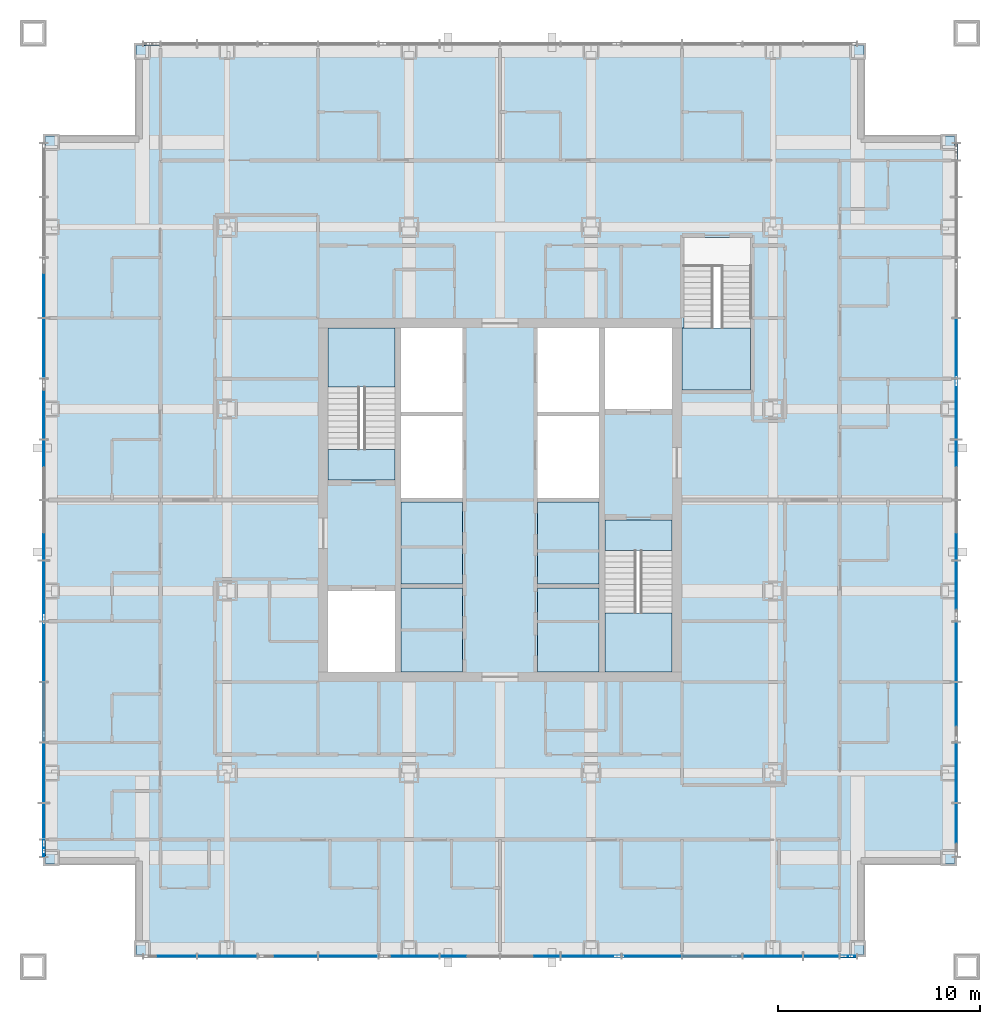
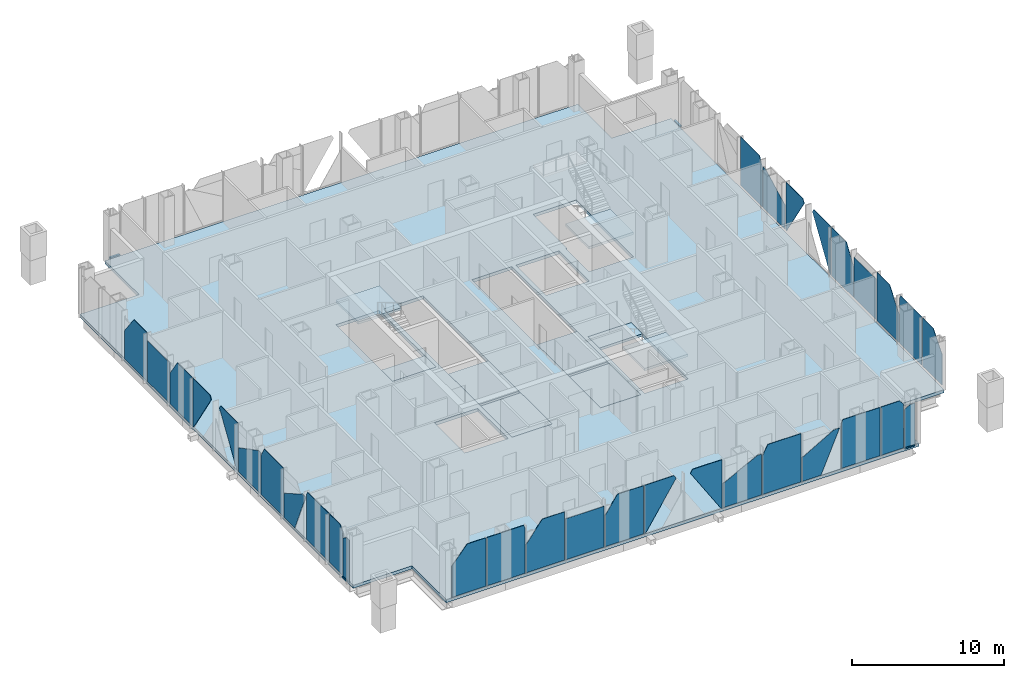
# One storey, part 6 of 25: 33 plates, 10 slabs, 4 members, 7 elements without a shape of their own.
"""IFC4 building model written with IfcOpenShell, lengths in metres."""

from ifc_helpers import new_model, si_unit, direction, frame, origin, origin_2d, place, context, subcontext, project, spatial, polyline, rectangle, outline, extrude, material, layer, layer_set, material_profile, profile_set, type_object, element, aggregate, save


model = new_model("IFC4")

# Units and contexts
model_context = context("Model", 3, precision=1e-05, world=origin(), true_north=direction((0.0, 1.0)))
body_context = subcontext(model_context, "Body", "Model", "MODEL_VIEW")
ifc_project = project(units=[si_unit("LENGTHUNIT", "METRE"), si_unit("AREAUNIT", "SQUARE_METRE"), si_unit("VOLUMEUNIT", "CUBIC_METRE"), si_unit("PLANEANGLEUNIT", "RADIAN"), si_unit("MASSUNIT", "GRAM", prefix="KILO")], contexts=[model_context])

# Site, building, storey
site_placement = place(None, origin())
site = spatial("IfcSite", under=ifc_project, at=site_placement, CompositionType="ELEMENT")
building_placement = place(site_placement, origin())
building = spatial("IfcBuilding", under=site, at=building_placement, Name="Malebo Sky Hospital", CompositionType="ELEMENT")
storey_placement = place(building_placement, frame((0.0, 0.0, 241.0)))
storey = spatial("IfcBuildingStorey", under=building, at=storey_placement, Name="L58", CompositionType="ELEMENT", Elevation=241.0)

# Curtain wall, member
ifc_material_1 = material(Name="Anodised aluminium, natural silver", Category="aluminium")
ifc_layer_1 = layer(ifc_material_1, 0.25)
ifc_layer_set_1 = layer_set([ifc_layer_1], Name="WARD CURTAIN WALL NORTH AND SOUTH")
curtain_wall_type_1 = type_object("IfcCurtainWallType", Name="WARD CURTAIN WALL NORTH AND SOUTH", PredefinedType="NOTDEFINED", material=ifc_layer_set_1)
curtain_wall_1_placement = place(storey_placement, origin())
curtain_wall_1 = element("IfcCurtainWall", 1, at=curtain_wall_1_placement, inside=storey, type_object=curtain_wall_type_1, Name="NS curtain wall N", PredefinedType="NOTDEFINED")
ifc_material_profile = material_profile(ifc_material_1, rectangle(XDim=0.14990234375, YDim=0.10009765625, at=origin_2d()), Name="ALUMINIUM TRANSOM 150x100")
ifc_profile_set = profile_set([ifc_material_profile], Name="Anodised aluminium, natural silver")
member_type = type_object("IfcMemberType", Name="ALUMINIUM TRANSOM 150x100", PredefinedType="USERDEFINED", material=ifc_profile_set)
member_1_placement = place(storey_placement, frame((42.375, 84.574951171875, 0.050048828125), z_axis=(1.0, 0.0, 0.0), x_axis=(0.0, 1.0, 0.0)))
member_1 = element("IfcMember", 2, at=member_1_placement, type_object=member_type, Name="Transom 1", ObjectType="TRANSOM", PredefinedType="USERDEFINED", context=body_context, shape_type="SweptSolid", body=[
    extrude(rectangle(XDim=0.14990234375, YDim=0.10009765625, at=origin_2d()), origin(), (0.0, 0.0, 1.0), 0.78759765625),
])
aggregate(curtain_wall_1, [member_1])

ifc_layer_2 = layer(ifc_material_1, 0.25)
ifc_layer_set_2 = layer_set([ifc_layer_2], Name="WARD CURTAIN WALL EAST AND WEST")
curtain_wall_type_2 = type_object("IfcCurtainWallType", Name="WARD CURTAIN WALL EAST AND WEST", PredefinedType="NOTDEFINED", material=ifc_layer_set_2)
curtain_wall_2_placement = place(storey_placement, origin())
curtain_wall_2 = element("IfcCurtainWall", 3, at=curtain_wall_2_placement, inside=storey, type_object=curtain_wall_type_2, Name="EW curtain wall W", PredefinedType="NOTDEFINED")
member_2_placement = place(storey_placement, frame((37.425048828125, 44.375, 0.050048828125), z_axis=(0.0, 1.0, 0.0), x_axis=(-1.0, 0.0, 0.0)))
member_2 = element("IfcMember", 4, at=member_2_placement, type_object=member_type, Name="Transom 1", ObjectType="TRANSOM", PredefinedType="USERDEFINED", context=body_context, shape_type="SweptSolid", body=[
    extrude(rectangle(XDim=0.14990234375, YDim=0.10009765625, at=origin_2d()), origin(), (0.0, 0.0, 1.0), 0.78759765625),
])

curtain_wall_3_placement = place(storey_placement, origin())
curtain_wall_3 = element("IfcCurtainWall", 5, at=curtain_wall_3_placement, inside=storey, type_object=curtain_wall_type_1, Name="NS curtain wall S", PredefinedType="NOTDEFINED")
member_3_placement = place(storey_placement, frame((77.625, 39.425048828125, 0.050048828125), z_axis=(-1.0, 0.0, 0.0), x_axis=(0.0, -1.0, 0.0)))
member_3 = element("IfcMember", 6, at=member_3_placement, type_object=member_type, Name="Transom 1", ObjectType="TRANSOM", PredefinedType="USERDEFINED", context=body_context, shape_type="SweptSolid", body=[
    extrude(rectangle(XDim=0.14990234375, YDim=0.10009765625, at=origin_2d()), origin(), (0.0, 0.0, 1.0), 0.78759765625),
])

curtain_wall_4_placement = place(storey_placement, origin())
curtain_wall_4 = element("IfcCurtainWall", 7, at=curtain_wall_4_placement, inside=storey, type_object=curtain_wall_type_2, Name="EW curtain wall E", PredefinedType="NOTDEFINED")
member_4_placement = place(storey_placement, frame((82.574951171875, 79.625, 0.050048828125), z_axis=(0.0, -1.0, 0.0), x_axis=(1.0, 0.0, 0.0)))
member_4 = element("IfcMember", 8, at=member_4_placement, type_object=member_type, Name="Transom 1", ObjectType="TRANSOM", PredefinedType="USERDEFINED", context=body_context, shape_type="SweptSolid", body=[
    extrude(rectangle(XDim=0.14990234375, YDim=0.10009765625, at=origin_2d()), origin(), (0.0, 0.0, 1.0), 0.78759765625),
])

# Slabs
ifc_material_2 = material(Name="Concrete C40/50", Category="concrete")
ifc_layer_3 = layer(ifc_material_2, 0.25)
ifc_layer_set_3 = layer_set([ifc_layer_3], Name="COMPOSITE FLOOR SLAB 250")
slab_type_1 = type_object("IfcSlabType", Name="COMPOSITE FLOOR SLAB 250", PredefinedType="FLOOR", material=ifc_layer_set_3)
slab_1_placement = place(storey_placement, frame((0.0, 0.0, -0.25)))
element("IfcSlab", 9, at=slab_1_placement, inside=storey, type_object=slab_type_1, Name="Floor slab L58", PredefinedType="FLOOR", context=body_context, shape_type="SweptSolid", body=[
    extrude(outline(polyline([(42.0, 84.5), (42.0, 80.0), (37.5, 80.0), (37.5, 44.0), (42.0, 44.0), (42.0, 39.5), (78.0, 39.5), (78.0, 44.0), (82.5, 44.0), (82.5, 80.0), (78.0, 80.0), (78.0, 84.5), (42.0, 84.5)]), holes=[polyline([(55.10009765625, 70.5), (58.14990234375, 70.5), (58.14990234375, 53.5), (55.10009765625, 53.5), (55.10009765625, 70.5)]), polyline([(64.89990234375, 70.5), (64.89990234375, 53.5), (61.85009765625, 53.5), (61.85009765625, 70.5), (64.89990234375, 70.5)]), polyline([(54.800048828125, 63.0), (51.5, 63.0), (51.5, 70.5), (54.800048828125, 70.5), (54.800048828125, 63.0)]), polyline([(51.5, 53.5), (51.5, 57.5), (54.800048828125, 57.5), (54.800048828125, 53.5), (51.5, 53.5)]), polyline([(65.199951171875, 61.0), (68.5, 61.0), (68.5, 53.5), (65.199951171875, 53.5), (65.199951171875, 61.0)]), polyline([(68.5, 70.5), (68.5, 66.5), (65.199951171875, 66.5), (65.199951171875, 70.5), (68.5, 70.5)]), polyline([(69.0, 67.449951171875), (69.0, 70.52001953125), (69.10009765625, 70.52001953125), (69.10009765625, 75.0), (72.39990234375, 75.0), (72.39990234375, 67.449951171875), (69.10009765625, 67.449951171875), (69.0, 67.449951171875)])]), origin(), (0.0, 0.0, 1.0), 0.25),
])
ifc_layer_4 = layer(ifc_material_2, 0.25)
ifc_layer_set_4 = layer_set([ifc_layer_4], Name="SHAFT INFILL SLAB 250")
slab_type_2 = type_object("IfcSlabType", Name="SHAFT INFILL SLAB 250", PredefinedType="FLOOR", material=ifc_layer_set_4)
slab_2_placement = place(storey_placement, frame((0.0, 0.0, -0.25)))
element("IfcSlab", 10, at=slab_2_placement, inside=storey, type_object=slab_type_2, Name="Shaft infill slab W1 L58", PredefinedType="FLOOR", context=body_context, shape_type="SweptSolid", body=[
    extrude(outline(polyline([(55.10009765625, 53.5), (58.14990234375, 53.5), (58.14990234375, 57.64990234375), (55.10009765625, 57.64990234375), (55.10009765625, 53.5)])), origin(), (0.0, 0.0, 1.0), 0.25),
])
slab_3_placement = place(storey_placement, frame((0.0, 0.0, -0.25)))
element("IfcSlab", 11, at=slab_3_placement, inside=storey, type_object=slab_type_2, Name="Shaft infill slab W2 L58", PredefinedType="FLOOR", context=body_context, shape_type="SweptSolid", body=[
    extrude(outline(polyline([(55.10009765625, 57.85009765625), (58.14990234375, 57.85009765625), (58.14990234375, 61.89990234375), (55.10009765625, 61.89990234375), (55.10009765625, 57.85009765625)])), origin(), (0.0, 0.0, 1.0), 0.25),
])
slab_4_placement = place(storey_placement, frame((0.0, 0.0, -0.25)))
element("IfcSlab", 12, at=slab_4_placement, inside=storey, type_object=slab_type_2, Name="Shaft infill slab E1 L58", PredefinedType="FLOOR", context=body_context, shape_type="SweptSolid", body=[
    extrude(outline(polyline([(61.85009765625, 53.5), (64.89990234375, 53.5), (64.89990234375, 57.64990234375), (61.85009765625, 57.64990234375), (61.85009765625, 53.5)])), origin(), (0.0, 0.0, 1.0), 0.25),
])
slab_5_placement = place(storey_placement, frame((0.0, 0.0, -0.25)))
element("IfcSlab", 13, at=slab_5_placement, inside=storey, type_object=slab_type_2, Name="Shaft infill slab E2 L58", PredefinedType="FLOOR", context=body_context, shape_type="SweptSolid", body=[
    extrude(outline(polyline([(61.85009765625, 57.85009765625), (64.89990234375, 57.85009765625), (64.89990234375, 61.89990234375), (61.85009765625, 61.89990234375), (61.85009765625, 57.85009765625)])), origin(), (0.0, 0.0, 1.0), 0.25),
])

# Stair, slabs
stair_type_1 = type_object("IfcStairType", Name="HALF-TURN STAIR 1500 R167", PredefinedType="HALF_TURN_STAIR", material=ifc_material_2)
stair_1_placement = place(storey_placement, origin())
stair_1 = element("IfcStair", 14, at=stair_1_placement, inside=storey, type_object=stair_type_1, Name="Stair S1 L58 type ST1", PredefinedType="HALF_TURN_STAIR")
ifc_layer_5 = layer(ifc_material_2, 0.199951171875)
ifc_layer_set_5 = layer_set([ifc_layer_5], Name="STAIR LANDING 200")
slab_type_3 = type_object("IfcSlabType", Name="STAIR LANDING 200", PredefinedType="LANDING", material=ifc_layer_set_5)
slab_6_placement = place(storey_placement, frame((0.0, 0.0, -0.199951171875)))
slab_6 = element("IfcSlab", 15, at=slab_6_placement, type_object=slab_type_3, Name="S1 landing 1", PredefinedType="LANDING", context=body_context, shape_type="SweptSolid", body=[
    extrude(outline(polyline([(51.5, 63.0), (54.800048828125, 63.0), (54.800048828125, 64.5), (51.5, 64.5), (51.5, 63.0)])), origin(), (0.0, 0.0, 1.0), 0.199951171875),
])
slab_7_placement = place(storey_placement, frame((0.0, 0.0, 1.800048828125)))
slab_7 = element("IfcSlab", 16, at=slab_7_placement, type_object=slab_type_3, Name="S1 landing 2", PredefinedType="LANDING", context=body_context, shape_type="SweptSolid", body=[
    extrude(outline(polyline([(51.5, 67.580078125), (54.800048828125, 67.580078125), (54.800048828125, 70.5), (51.5, 70.5), (51.5, 67.580078125)])), origin(), (0.0, 0.0, 1.0), 0.199951171875),
])
aggregate(stair_1, [slab_6, slab_7])

stair_2_placement = place(storey_placement, origin())
stair_2 = element("IfcStair", 17, at=stair_2_placement, inside=storey, type_object=stair_type_1, Name="Stair S2 L58 type ST1", PredefinedType="HALF_TURN_STAIR")
slab_8_placement = place(storey_placement, frame((0.0, 0.0, -0.199951171875)))
slab_8 = element("IfcSlab", 18, at=slab_8_placement, type_object=slab_type_3, Name="S2 landing 1", PredefinedType="LANDING", context=body_context, shape_type="SweptSolid", body=[
    extrude(outline(polyline([(65.199951171875, 59.5), (68.5, 59.5), (68.5, 61.0), (65.199951171875, 61.0), (65.199951171875, 59.5)])), origin(), (0.0, 0.0, 1.0), 0.199951171875),
])
slab_9_placement = place(storey_placement, frame((0.0, 0.0, 1.800048828125)))
slab_9 = element("IfcSlab", 19, at=slab_9_placement, type_object=slab_type_3, Name="S2 landing 2", PredefinedType="LANDING", context=body_context, shape_type="SweptSolid", body=[
    extrude(outline(polyline([(65.199951171875, 53.5), (68.5, 53.5), (68.5, 56.419921875), (65.199951171875, 56.419921875), (65.199951171875, 53.5)])), origin(), (0.0, 0.0, 1.0), 0.199951171875),
])
aggregate(stair_2, [slab_8, slab_9])

# Stair, slab
stair_type_2 = type_object("IfcStairType", Name="HALF-TURN STAIR 1400 R167", PredefinedType="HALF_TURN_STAIR", material=ifc_material_2)
stair_3_placement = place(storey_placement, origin())
stair_3 = element("IfcStair", 20, at=stair_3_placement, inside=storey, type_object=stair_type_2, Name="Stair S3 L58 type ST1B", PredefinedType="HALF_TURN_STAIR")
slab_10_placement = place(storey_placement, frame((0.0, 0.0, 1.800048828125)))
slab_10 = element("IfcSlab", 21, at=slab_10_placement, type_object=slab_type_3, Name="S3 landing 2", PredefinedType="LANDING", context=body_context, shape_type="SweptSolid", body=[
    extrude(outline(polyline([(69.0, 67.449951171875), (72.39990234375, 67.449951171875), (72.39990234375, 70.52001953125), (69.0, 70.52001953125), (69.0, 67.449951171875)])), origin(), (0.0, 0.0, 1.0), 0.199951171875),
])
aggregate(stair_3, [slab_10])

# Plate
ifc_material_3 = material(Name="Clear low-iron double glazing", Category="glass")
ifc_layer_6 = layer(ifc_material_3, 0.031982421875)
ifc_layer_set_6 = layer_set([ifc_layer_6], Name="VISION PANEL CLEAR 32")
plate_type = type_object("IfcPlateType", Name="VISION PANEL CLEAR 32", PredefinedType="CURTAIN_PANEL", material=ifc_layer_set_6)
plate_1_placement = place(storey_placement, frame((37.425048828125, 44.768798828125, 0.10009765625), z_axis=(0.0, 0.0, 1.0), x_axis=(0.0, 1.0, 0.0)))
plate_1 = element("IfcPlate", 22, at=plate_1_placement, type_object=plate_type, Name="Panel 1", PredefinedType="CURTAIN_PANEL", context=body_context, shape_type="SweptSolid", body=[
    extrude(outline(polyline([(-0.393798828125, 0.0), (0.393798828125, 0.0), (0.393798828125, 3.044189453125), (-0.043212890625, 3.3212890625), (-0.393798828125, 3.3212890625), (-0.393798828125, 0.0)])), frame((0.0, 0.01611328125, 0.0), z_axis=(0.0, -1.0, 0.0), x_axis=(1.0, 0.0, 0.0)), (0.0, 0.0, 1.0), 0.031982421875),
])

plate_2_placement = place(storey_placement, frame((37.425048828125, 46.10009765625, 0.10009765625), z_axis=(0.0, 0.0, 1.0), x_axis=(0.0, 1.0, 0.0)))
plate_2 = element("IfcPlate", 23, at=plate_2_placement, type_object=plate_type, Name="Panel 2", PredefinedType="CURTAIN_PANEL", context=body_context, shape_type="SweptSolid", body=[
    extrude(outline(polyline([(-0.862548828125, 0.0), (0.862548828125, 0.0), (0.862548828125, 3.889892578125), (-0.564208984375, 3.889892578125), (-0.862548828125, 3.53515625), (-0.862548828125, 0.0)])), frame((0.0, 0.01611328125, 0.0), z_axis=(0.0, -1.0, 0.0), x_axis=(1.0, 0.0, 0.0)), (0.0, 0.0, 1.0), 0.031982421875),
])

plate_3_placement = place(storey_placement, frame((37.425048828125, 48.5, 0.10009765625), z_axis=(0.0, 0.0, 1.0), x_axis=(0.0, 1.0, 0.0)))
plate_3 = element("IfcPlate", 24, at=plate_3_placement, type_object=plate_type, Name="Panel 3", PredefinedType="CURTAIN_PANEL", context=body_context, shape_type="SweptSolid", body=[
    extrude(outline(polyline([(-1.46240234375, 0.0), (1.46240234375, 0.0), (1.46240234375, 3.61572265625), (1.344970703125, 3.889892578125), (-1.46240234375, 3.889892578125), (-1.46240234375, 0.0)])), frame((0.0, 0.01611328125, 0.0), z_axis=(0.0, -1.0, 0.0), x_axis=(1.0, 0.0, 0.0)), (0.0, 0.0, 1.0), 0.031982421875),
])

plate_4_placement = place(storey_placement, frame((37.425048828125, 51.529052734375, 0.10009765625), z_axis=(0.0, 0.0, 1.0), x_axis=(0.0, 1.0, 0.0)))
plate_4 = element("IfcPlate", 25, at=plate_4_placement, type_object=plate_type, Name="Panel 4", PredefinedType="CURTAIN_PANEL", context=body_context, shape_type="SweptSolid", body=[
    extrude(outline(polyline([(-0.016845703125, 0.0), (1.43359375, 0.0), (1.43359375, 1.90673828125), (-0.992919921875, 3.305419921875), (-1.43359375, 3.305419921875), (-0.016845703125, 0.0)])), frame((0.0, 0.01611328125, 0.0), z_axis=(0.0, -1.0, 0.0), x_axis=(1.0, 0.0, 0.0)), (0.0, 0.0, 1.0), 0.031982421875),
])

plate_5_placement = place(storey_placement, frame((37.425048828125, 54.5, 0.10009765625), z_axis=(0.0, 0.0, 1.0), x_axis=(0.0, 1.0, 0.0)))
plate_5 = element("IfcPlate", 26, at=plate_5_placement, type_object=plate_type, Name="Panel 5", PredefinedType="CURTAIN_PANEL", context=body_context, shape_type="SweptSolid", body=[
    extrude(outline(polyline([(-1.46240234375, 0.0), (1.46240234375, 0.0), (1.46240234375, 3.117431640625), (1.067626953125, 3.889892578125), (-1.46240234375, 3.889892578125), (-1.46240234375, 0.0)])), frame((0.0, 0.01611328125, 0.0), z_axis=(0.0, -1.0, 0.0), x_axis=(1.0, 0.0, 0.0)), (0.0, 0.0, 1.0), 0.031982421875),
])

plate_6_placement = place(storey_placement, frame((37.425048828125, 57.5, 0.10009765625), z_axis=(0.0, 0.0, 1.0), x_axis=(0.0, 1.0, 0.0)))
plate_6 = element("IfcPlate", 27, at=plate_6_placement, type_object=plate_type, Name="Panel 6", PredefinedType="CURTAIN_PANEL", context=body_context, shape_type="SweptSolid", body=[
    extrude(outline(polyline([(-1.46240234375, 0.0), (1.46240234375, 0.0), (1.46240234375, 1.9345703125), (-1.14599609375, 3.289794921875), (-1.46240234375, 3.289794921875), (-1.46240234375, 0.0)])), frame((0.0, 0.01611328125, 0.0), z_axis=(0.0, -1.0, 0.0), x_axis=(1.0, 0.0, 0.0)), (0.0, 0.0, 1.0), 0.031982421875),
])

plate_7_placement = place(storey_placement, frame((37.425048828125, 60.244873046875, 0.10009765625), z_axis=(0.0, 0.0, 1.0), x_axis=(0.0, 1.0, 0.0)))
plate_7 = element("IfcPlate", 28, at=plate_7_placement, type_object=plate_type, Name="Panel 7", PredefinedType="CURTAIN_PANEL", context=body_context, shape_type="SweptSolid", body=[
    extrude(outline(polyline([(-1.20751953125, 0.0), (-1.115234375, 0.0), (1.20751953125, 3.61962890625), (1.047119140625, 3.889892578125), (-1.20751953125, 3.889892578125), (-1.20751953125, 0.0)])), frame((0.0, 0.01611328125, 0.0), z_axis=(0.0, -1.0, 0.0), x_axis=(1.0, 0.0, 0.0)), (0.0, 0.0, 1.0), 0.031982421875),
])

plate_8_placement = place(storey_placement, frame((37.425048828125, 63.755126953125, 0.10009765625), z_axis=(0.0, 0.0, 1.0), x_axis=(0.0, 1.0, 0.0)))
plate_8 = element("IfcPlate", 29, at=plate_8_placement, type_object=plate_type, Name="Panel 8", PredefinedType="CURTAIN_PANEL", context=body_context, shape_type="SweptSolid", body=[
    extrude(outline(polyline([(1.115234375, 0.0), (1.20751953125, 0.0), (1.20751953125, 3.889892578125), (-1.047119140625, 3.889892578125), (-1.20751953125, 3.61962890625), (1.115234375, 0.0)])), frame((0.0, 0.01611328125, 0.0), z_axis=(0.0, -1.0, 0.0), x_axis=(1.0, 0.0, 0.0)), (0.0, 0.0, 1.0), 0.031982421875),
])

plate_9_placement = place(storey_placement, frame((37.425048828125, 66.5, 0.10009765625), z_axis=(0.0, 0.0, 1.0), x_axis=(0.0, 1.0, 0.0)))
plate_9 = element("IfcPlate", 30, at=plate_9_placement, type_object=plate_type, Name="Panel 9", PredefinedType="CURTAIN_PANEL", context=body_context, shape_type="SweptSolid", body=[
    extrude(outline(polyline([(-1.46240234375, 0.0), (1.46240234375, 0.0), (1.46240234375, 2.489990234375), (0.516357421875, 3.889892578125), (-1.46240234375, 3.889892578125), (-1.46240234375, 0.0)])), frame((0.0, 0.01611328125, 0.0), z_axis=(0.0, -1.0, 0.0), x_axis=(1.0, 0.0, 0.0)), (0.0, 0.0, 1.0), 0.031982421875),
])

plate_10_placement = place(storey_placement, frame((37.425048828125, 69.5, 0.10009765625), z_axis=(0.0, 0.0, 1.0), x_axis=(0.0, 1.0, 0.0)))
plate_10 = element("IfcPlate", 31, at=plate_10_placement, type_object=plate_type, Name="Panel 10", PredefinedType="CURTAIN_PANEL", context=body_context, shape_type="SweptSolid", body=[
    extrude(outline(polyline([(-1.46240234375, 0.0), (1.46240234375, 0.0), (1.46240234375, 3.289794921875), (-1.46240234375, 3.289794921875), (-1.46240234375, 0.0)])), frame((0.0, 0.01611328125, 0.0), z_axis=(0.0, -1.0, 0.0), x_axis=(1.0, 0.0, 0.0)), (0.0, 0.0, 1.0), 0.031982421875),
])

plate_11_placement = place(storey_placement, frame((37.425048828125, 72.5, 0.10009765625), z_axis=(0.0, 0.0, 1.0), x_axis=(0.0, 1.0, 0.0)))
plate_11 = element("IfcPlate", 32, at=plate_11_placement, type_object=plate_type, Name="Panel 11", PredefinedType="CURTAIN_PANEL", context=body_context, shape_type="SweptSolid", body=[
    extrude(outline(polyline([(-1.46240234375, 0.0), (1.46240234375, 0.0), (1.46240234375, 2.278564453125), (0.24072265625, 3.889892578125), (-1.46240234375, 3.889892578125), (-1.46240234375, 0.0)])), frame((0.0, 0.01611328125, 0.0), z_axis=(0.0, -1.0, 0.0), x_axis=(1.0, 0.0, 0.0)), (0.0, 0.0, 1.0), 0.031982421875),
])

aggregate(curtain_wall_2, [member_2, plate_1, plate_2, plate_3, plate_4, plate_5, plate_6, plate_7, plate_8, plate_9, plate_10, plate_11])

plate_12_placement = place(storey_placement, frame((77.231201171875, 39.425048828125, 0.10009765625), z_axis=(0.0, 0.0, 1.0), x_axis=(-1.0, 0.0, 0.0)))
plate_12 = element("IfcPlate", 33, at=plate_12_placement, type_object=plate_type, Name="Panel 1", PredefinedType="CURTAIN_PANEL", context=body_context, shape_type="SweptSolid", body=[
    extrude(outline(polyline([(-0.393798828125, 0.0), (0.393798828125, 0.0), (0.393798828125, 3.044189453125), (-0.043212890625, 3.3212890625), (-0.393798828125, 3.3212890625), (-0.393798828125, 0.0)])), frame((0.0, 0.01611328125, 0.0), z_axis=(0.0, -1.0, 0.0), x_axis=(1.0, 0.0, 0.0)), (0.0, 0.0, 1.0), 0.031982421875),
])

plate_13_placement = place(storey_placement, frame((75.89990234375, 39.425048828125, 0.10009765625), z_axis=(0.0, 0.0, 1.0), x_axis=(-1.0, 0.0, 0.0)))
plate_13 = element("IfcPlate", 34, at=plate_13_placement, type_object=plate_type, Name="Panel 2", PredefinedType="CURTAIN_PANEL", context=body_context, shape_type="SweptSolid", body=[
    extrude(outline(polyline([(-0.862548828125, 0.0), (0.862548828125, 0.0), (0.862548828125, 3.889892578125), (-0.564208984375, 3.889892578125), (-0.862548828125, 3.53515625), (-0.862548828125, 0.0)])), frame((0.0, 0.01611328125, 0.0), z_axis=(0.0, -1.0, 0.0), x_axis=(1.0, 0.0, 0.0)), (0.0, 0.0, 1.0), 0.031982421875),
])

plate_14_placement = place(storey_placement, frame((73.5, 39.425048828125, 0.10009765625), z_axis=(0.0, 0.0, 1.0), x_axis=(-1.0, 0.0, 0.0)))
plate_14 = element("IfcPlate", 35, at=plate_14_placement, type_object=plate_type, Name="Panel 3", PredefinedType="CURTAIN_PANEL", context=body_context, shape_type="SweptSolid", body=[
    extrude(outline(polyline([(-1.46240234375, 0.0), (1.46240234375, 0.0), (1.46240234375, 3.61572265625), (1.344970703125, 3.889892578125), (-1.46240234375, 3.889892578125), (-1.46240234375, 0.0)])), frame((0.0, 0.01611328125, 0.0), z_axis=(0.0, -1.0, 0.0), x_axis=(1.0, 0.0, 0.0)), (0.0, 0.0, 1.0), 0.031982421875),
])

plate_15_placement = place(storey_placement, frame((70.470947265625, 39.425048828125, 0.10009765625), z_axis=(0.0, 0.0, 1.0), x_axis=(-1.0, 0.0, 0.0)))
plate_15 = element("IfcPlate", 36, at=plate_15_placement, type_object=plate_type, Name="Panel 4", PredefinedType="CURTAIN_PANEL", context=body_context, shape_type="SweptSolid", body=[
    extrude(outline(polyline([(-0.016845703125, 0.0), (1.43359375, 0.0), (1.43359375, 1.90673828125), (-0.992919921875, 3.305419921875), (-1.43359375, 3.305419921875), (-0.016845703125, 0.0)])), frame((0.0, 0.01611328125, 0.0), z_axis=(0.0, -1.0, 0.0), x_axis=(1.0, 0.0, 0.0)), (0.0, 0.0, 1.0), 0.031982421875),
])

plate_16_placement = place(storey_placement, frame((67.5, 39.425048828125, 0.10009765625), z_axis=(0.0, 0.0, 1.0), x_axis=(-1.0, 0.0, 0.0)))
plate_16 = element("IfcPlate", 37, at=plate_16_placement, type_object=plate_type, Name="Panel 5", PredefinedType="CURTAIN_PANEL", context=body_context, shape_type="SweptSolid", body=[
    extrude(outline(polyline([(-1.46240234375, 0.0), (1.46240234375, 0.0), (1.46240234375, 3.117431640625), (1.067626953125, 3.889892578125), (-1.46240234375, 3.889892578125), (-1.46240234375, 0.0)])), frame((0.0, 0.01611328125, 0.0), z_axis=(0.0, -1.0, 0.0), x_axis=(1.0, 0.0, 0.0)), (0.0, 0.0, 1.0), 0.031982421875),
])

plate_17_placement = place(storey_placement, frame((64.5, 39.425048828125, 0.10009765625), z_axis=(0.0, 0.0, 1.0), x_axis=(-1.0, 0.0, 0.0)))
plate_17 = element("IfcPlate", 38, at=plate_17_placement, type_object=plate_type, Name="Panel 6", PredefinedType="CURTAIN_PANEL", context=body_context, shape_type="SweptSolid", body=[
    extrude(outline(polyline([(-1.46240234375, 0.0), (1.46240234375, 0.0), (1.46240234375, 1.9345703125), (-1.14599609375, 3.289794921875), (-1.46240234375, 3.289794921875), (-1.46240234375, 0.0)])), frame((0.0, 0.01611328125, 0.0), z_axis=(0.0, -1.0, 0.0), x_axis=(1.0, 0.0, 0.0)), (0.0, 0.0, 1.0), 0.031982421875),
])

plate_18_placement = place(storey_placement, frame((61.755126953125, 39.425048828125, 0.10009765625), z_axis=(0.0, 0.0, 1.0), x_axis=(-1.0, 0.0, 0.0)))
plate_18 = element("IfcPlate", 39, at=plate_18_placement, type_object=plate_type, Name="Panel 7", PredefinedType="CURTAIN_PANEL", context=body_context, shape_type="SweptSolid", body=[
    extrude(outline(polyline([(-1.20751953125, 0.0), (-1.115234375, 0.0), (1.20751953125, 3.61962890625), (1.047119140625, 3.889892578125), (-1.20751953125, 3.889892578125), (-1.20751953125, 0.0)])), frame((0.0, 0.01611328125, 0.0), z_axis=(0.0, -1.0, 0.0), x_axis=(1.0, 0.0, 0.0)), (0.0, 0.0, 1.0), 0.031982421875),
])

plate_19_placement = place(storey_placement, frame((58.244873046875, 39.425048828125, 0.10009765625), z_axis=(0.0, 0.0, 1.0), x_axis=(-1.0, 0.0, 0.0)))
plate_19 = element("IfcPlate", 40, at=plate_19_placement, type_object=plate_type, Name="Panel 8", PredefinedType="CURTAIN_PANEL", context=body_context, shape_type="SweptSolid", body=[
    extrude(outline(polyline([(1.115234375, 0.0), (1.20751953125, 0.0), (1.20751953125, 3.889892578125), (-1.047119140625, 3.889892578125), (-1.20751953125, 3.61962890625), (1.115234375, 0.0)])), frame((0.0, 0.01611328125, 0.0), z_axis=(0.0, -1.0, 0.0), x_axis=(1.0, 0.0, 0.0)), (0.0, 0.0, 1.0), 0.031982421875),
])

plate_20_placement = place(storey_placement, frame((55.5, 39.425048828125, 0.10009765625), z_axis=(0.0, 0.0, 1.0), x_axis=(-1.0, 0.0, 0.0)))
plate_20 = element("IfcPlate", 41, at=plate_20_placement, type_object=plate_type, Name="Panel 9", PredefinedType="CURTAIN_PANEL", context=body_context, shape_type="SweptSolid", body=[
    extrude(outline(polyline([(-1.46240234375, 0.0), (1.46240234375, 0.0), (1.46240234375, 2.489990234375), (0.516357421875, 3.889892578125), (-1.46240234375, 3.889892578125), (-1.46240234375, 0.0)])), frame((0.0, 0.01611328125, 0.0), z_axis=(0.0, -1.0, 0.0), x_axis=(1.0, 0.0, 0.0)), (0.0, 0.0, 1.0), 0.031982421875),
])

plate_21_placement = place(storey_placement, frame((52.5, 39.425048828125, 0.10009765625), z_axis=(0.0, 0.0, 1.0), x_axis=(-1.0, 0.0, 0.0)))
plate_21 = element("IfcPlate", 42, at=plate_21_placement, type_object=plate_type, Name="Panel 10", PredefinedType="CURTAIN_PANEL", context=body_context, shape_type="SweptSolid", body=[
    extrude(outline(polyline([(-1.46240234375, 0.0), (1.46240234375, 0.0), (1.46240234375, 3.289794921875), (-1.46240234375, 3.289794921875), (-1.46240234375, 0.0)])), frame((0.0, 0.01611328125, 0.0), z_axis=(0.0, -1.0, 0.0), x_axis=(1.0, 0.0, 0.0)), (0.0, 0.0, 1.0), 0.031982421875),
])

plate_22_placement = place(storey_placement, frame((49.5, 39.425048828125, 0.10009765625), z_axis=(0.0, 0.0, 1.0), x_axis=(-1.0, 0.0, 0.0)))
plate_22 = element("IfcPlate", 43, at=plate_22_placement, type_object=plate_type, Name="Panel 11", PredefinedType="CURTAIN_PANEL", context=body_context, shape_type="SweptSolid", body=[
    extrude(outline(polyline([(-1.46240234375, 0.0), (1.46240234375, 0.0), (1.46240234375, 2.278564453125), (0.24072265625, 3.889892578125), (-1.46240234375, 3.889892578125), (-1.46240234375, 0.0)])), frame((0.0, 0.01611328125, 0.0), z_axis=(0.0, -1.0, 0.0), x_axis=(1.0, 0.0, 0.0)), (0.0, 0.0, 1.0), 0.031982421875),
])

plate_23_placement = place(storey_placement, frame((46.5, 39.425048828125, 0.10009765625), z_axis=(0.0, 0.0, 1.0), x_axis=(-1.0, 0.0, 0.0)))
plate_23 = element("IfcPlate", 44, at=plate_23_placement, type_object=plate_type, Name="Panel 12", PredefinedType="CURTAIN_PANEL", context=body_context, shape_type="SweptSolid", body=[
    extrude(outline(polyline([(-1.46240234375, 0.0), (1.46240234375, 0.0), (1.46240234375, 3.889892578125), (-1.344970703125, 3.889892578125), (-1.46240234375, 3.61572265625), (-1.46240234375, 0.0)])), frame((0.0, 0.01611328125, 0.0), z_axis=(0.0, -1.0, 0.0), x_axis=(1.0, 0.0, 0.0)), (0.0, 0.0, 1.0), 0.031982421875),
])

plate_24_placement = place(storey_placement, frame((43.668701171875, 39.425048828125, 0.10009765625), z_axis=(0.0, 0.0, 1.0), x_axis=(-1.0, 0.0, 0.0)))
plate_24 = element("IfcPlate", 45, at=plate_24_placement, type_object=plate_type, Name="Panel 13", PredefinedType="CURTAIN_PANEL", context=body_context, shape_type="SweptSolid", body=[
    extrude(outline(polyline([(-1.293701171875, 0.0), (1.293701171875, 0.0), (1.293701171875, 2.50927734375), (0.1328125, 3.889892578125), (-1.293701171875, 3.889892578125), (-1.293701171875, 0.0)])), frame((0.0, 0.01611328125, 0.0), z_axis=(0.0, -1.0, 0.0), x_axis=(1.0, 0.0, 0.0)), (0.0, 0.0, 1.0), 0.031982421875),
])

aggregate(curtain_wall_3, [member_3, plate_12, plate_13, plate_14, plate_15, plate_16, plate_17, plate_18, plate_19, plate_20, plate_21, plate_22, plate_23, plate_24])

plate_25_placement = place(storey_placement, frame((82.574951171875, 69.5, 0.10009765625), z_axis=(0.0, 0.0, 1.0), x_axis=(0.0, -1.0, 0.0)))
plate_25 = element("IfcPlate", 46, at=plate_25_placement, type_object=plate_type, Name="Panel 5", PredefinedType="CURTAIN_PANEL", context=body_context, shape_type="SweptSolid", body=[
    extrude(outline(polyline([(-1.46240234375, 0.0), (1.46240234375, 0.0), (1.46240234375, 3.117431640625), (1.067626953125, 3.889892578125), (-1.46240234375, 3.889892578125), (-1.46240234375, 0.0)])), frame((0.0, 0.01611328125, 0.0), z_axis=(0.0, -1.0, 0.0), x_axis=(1.0, 0.0, 0.0)), (0.0, 0.0, 1.0), 0.031982421875),
])

plate_26_placement = place(storey_placement, frame((82.574951171875, 66.5, 0.10009765625), z_axis=(0.0, 0.0, 1.0), x_axis=(0.0, -1.0, 0.0)))
plate_26 = element("IfcPlate", 47, at=plate_26_placement, type_object=plate_type, Name="Panel 6", PredefinedType="CURTAIN_PANEL", context=body_context, shape_type="SweptSolid", body=[
    extrude(outline(polyline([(-1.46240234375, 0.0), (1.46240234375, 0.0), (1.46240234375, 1.9345703125), (-1.14599609375, 3.289794921875), (-1.46240234375, 3.289794921875), (-1.46240234375, 0.0)])), frame((0.0, 0.01611328125, 0.0), z_axis=(0.0, -1.0, 0.0), x_axis=(1.0, 0.0, 0.0)), (0.0, 0.0, 1.0), 0.031982421875),
])

plate_27_placement = place(storey_placement, frame((82.574951171875, 63.755126953125, 0.10009765625), z_axis=(0.0, 0.0, 1.0), x_axis=(0.0, -1.0, 0.0)))
plate_27 = element("IfcPlate", 48, at=plate_27_placement, type_object=plate_type, Name="Panel 7", PredefinedType="CURTAIN_PANEL", context=body_context, shape_type="SweptSolid", body=[
    extrude(outline(polyline([(-1.20751953125, 0.0), (-1.115234375, 0.0), (1.20751953125, 3.61962890625), (1.047119140625, 3.889892578125), (-1.20751953125, 3.889892578125), (-1.20751953125, 0.0)])), frame((0.0, 0.01611328125, 0.0), z_axis=(0.0, -1.0, 0.0), x_axis=(1.0, 0.0, 0.0)), (0.0, 0.0, 1.0), 0.031982421875),
])

plate_28_placement = place(storey_placement, frame((82.574951171875, 60.244873046875, 0.10009765625), z_axis=(0.0, 0.0, 1.0), x_axis=(0.0, -1.0, 0.0)))
plate_28 = element("IfcPlate", 49, at=plate_28_placement, type_object=plate_type, Name="Panel 8", PredefinedType="CURTAIN_PANEL", context=body_context, shape_type="SweptSolid", body=[
    extrude(outline(polyline([(1.115234375, 0.0), (1.20751953125, 0.0), (1.20751953125, 3.889892578125), (-1.047119140625, 3.889892578125), (-1.20751953125, 3.61962890625), (1.115234375, 0.0)])), frame((0.0, 0.01611328125, 0.0), z_axis=(0.0, -1.0, 0.0), x_axis=(1.0, 0.0, 0.0)), (0.0, 0.0, 1.0), 0.031982421875),
])

plate_29_placement = place(storey_placement, frame((82.574951171875, 57.5, 0.10009765625), z_axis=(0.0, 0.0, 1.0), x_axis=(0.0, -1.0, 0.0)))
plate_29 = element("IfcPlate", 50, at=plate_29_placement, type_object=plate_type, Name="Panel 9", PredefinedType="CURTAIN_PANEL", context=body_context, shape_type="SweptSolid", body=[
    extrude(outline(polyline([(-1.46240234375, 0.0), (1.46240234375, 0.0), (1.46240234375, 2.489990234375), (0.516357421875, 3.889892578125), (-1.46240234375, 3.889892578125), (-1.46240234375, 0.0)])), frame((0.0, 0.01611328125, 0.0), z_axis=(0.0, -1.0, 0.0), x_axis=(1.0, 0.0, 0.0)), (0.0, 0.0, 1.0), 0.031982421875),
])

plate_30_placement = place(storey_placement, frame((82.574951171875, 54.5, 0.10009765625), z_axis=(0.0, 0.0, 1.0), x_axis=(0.0, -1.0, 0.0)))
plate_30 = element("IfcPlate", 51, at=plate_30_placement, type_object=plate_type, Name="Panel 10", PredefinedType="CURTAIN_PANEL", context=body_context, shape_type="SweptSolid", body=[
    extrude(outline(polyline([(-1.46240234375, 0.0), (1.46240234375, 0.0), (1.46240234375, 3.289794921875), (-1.46240234375, 3.289794921875), (-1.46240234375, 0.0)])), frame((0.0, 0.01611328125, 0.0), z_axis=(0.0, -1.0, 0.0), x_axis=(1.0, 0.0, 0.0)), (0.0, 0.0, 1.0), 0.031982421875),
])

plate_31_placement = place(storey_placement, frame((82.574951171875, 51.5, 0.10009765625), z_axis=(0.0, 0.0, 1.0), x_axis=(0.0, -1.0, 0.0)))
plate_31 = element("IfcPlate", 52, at=plate_31_placement, type_object=plate_type, Name="Panel 11", PredefinedType="CURTAIN_PANEL", context=body_context, shape_type="SweptSolid", body=[
    extrude(outline(polyline([(-1.46240234375, 0.0), (1.46240234375, 0.0), (1.46240234375, 2.278564453125), (0.24072265625, 3.889892578125), (-1.46240234375, 3.889892578125), (-1.46240234375, 0.0)])), frame((0.0, 0.01611328125, 0.0), z_axis=(0.0, -1.0, 0.0), x_axis=(1.0, 0.0, 0.0)), (0.0, 0.0, 1.0), 0.031982421875),
])

plate_32_placement = place(storey_placement, frame((82.574951171875, 48.5, 0.10009765625), z_axis=(0.0, 0.0, 1.0), x_axis=(0.0, -1.0, 0.0)))
plate_32 = element("IfcPlate", 53, at=plate_32_placement, type_object=plate_type, Name="Panel 12", PredefinedType="CURTAIN_PANEL", context=body_context, shape_type="SweptSolid", body=[
    extrude(outline(polyline([(-1.46240234375, 0.0), (1.46240234375, 0.0), (1.46240234375, 3.889892578125), (-1.344970703125, 3.889892578125), (-1.46240234375, 3.61572265625), (-1.46240234375, 0.0)])), frame((0.0, 0.01611328125, 0.0), z_axis=(0.0, -1.0, 0.0), x_axis=(1.0, 0.0, 0.0)), (0.0, 0.0, 1.0), 0.031982421875),
])

plate_33_placement = place(storey_placement, frame((82.574951171875, 45.668701171875, 0.10009765625), z_axis=(0.0, 0.0, 1.0), x_axis=(0.0, -1.0, 0.0)))
plate_33 = element("IfcPlate", 54, at=plate_33_placement, type_object=plate_type, Name="Panel 13", PredefinedType="CURTAIN_PANEL", context=body_context, shape_type="SweptSolid", body=[
    extrude(outline(polyline([(-1.293701171875, 0.0), (1.293701171875, 0.0), (1.293701171875, 2.50927734375), (0.1328125, 3.889892578125), (-1.293701171875, 3.889892578125), (-1.293701171875, 0.0)])), frame((0.0, 0.01611328125, 0.0), z_axis=(0.0, -1.0, 0.0), x_axis=(1.0, 0.0, 0.0)), (0.0, 0.0, 1.0), 0.031982421875),
])

aggregate(curtain_wall_4, [member_4, plate_25, plate_26, plate_27, plate_28, plate_29, plate_30, plate_31, plate_32, plate_33])

save(model, "model.ifc")
